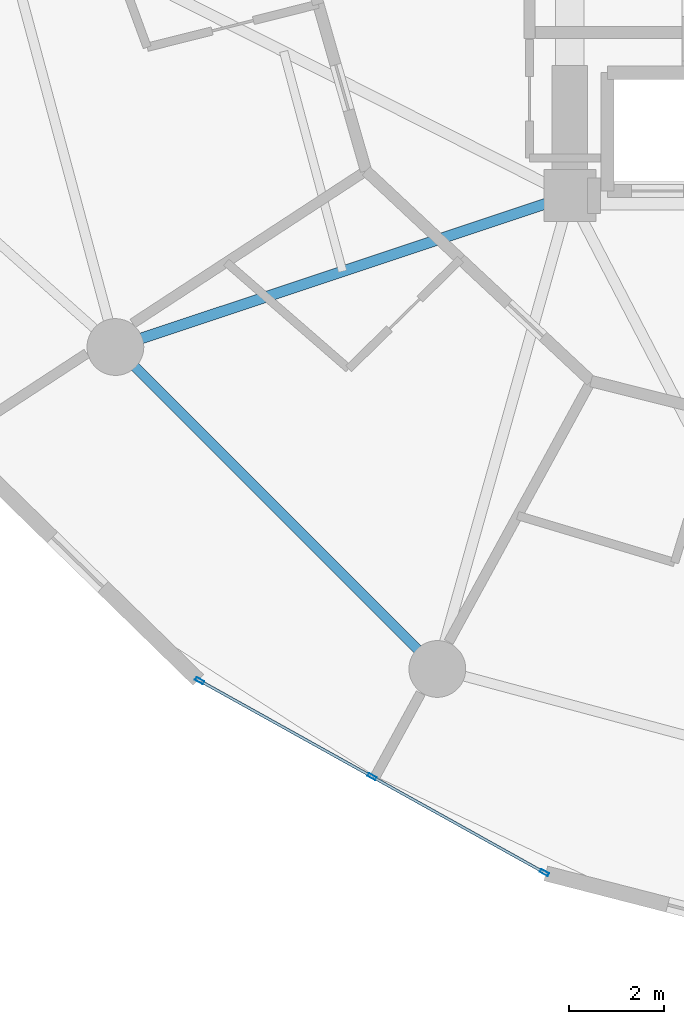
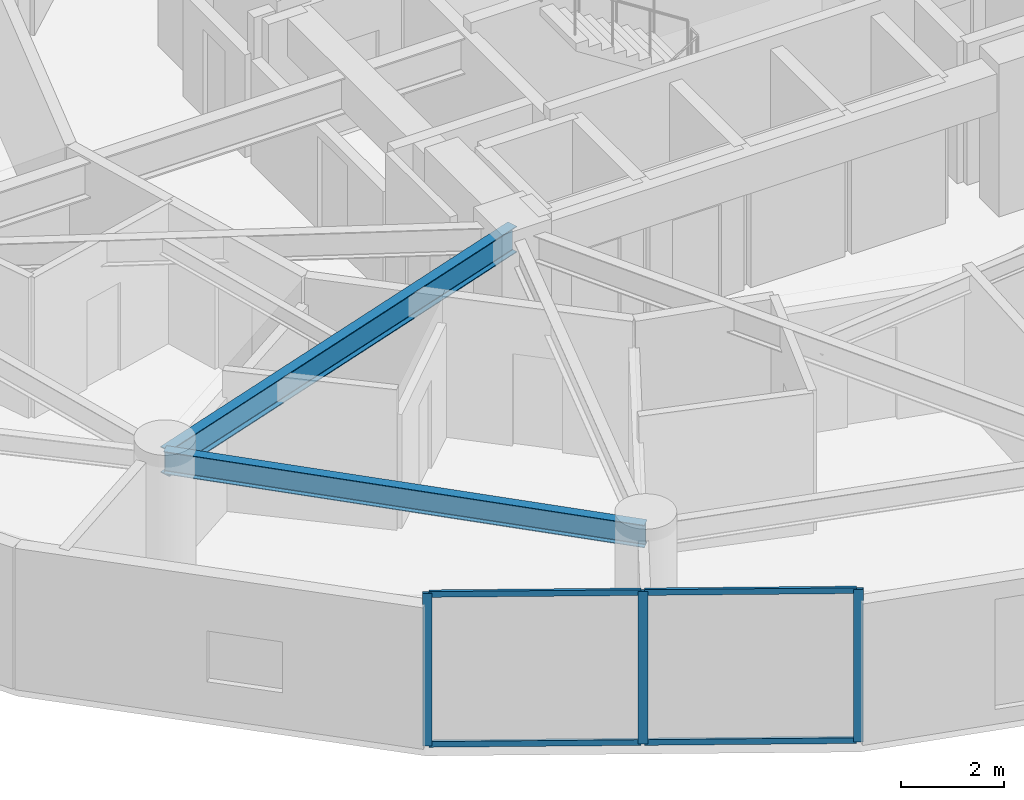
# One storey, part 2 of 22: 7 members, 2 beams, 1 element without a shape of its own.
"""IFC4 building model written with IfcOpenShell, lengths in metres."""

from ifc_helpers import new_model, si_unit, direction, frame, origin, origin_2d, place, context, subcontext, project, spatial, hollow_rectangle, i_section, extrude, source, transform, mapped, material, layer, layer_set, material_profile, profile_set, type_object, element, aggregate, save


model = new_model("IFC4")

# Units and contexts
model_context = context("Model", 3, precision=1e-05, world=origin(), true_north=direction((0.0, 1.0)))
body_context = subcontext(model_context, "Body", "Model", "MODEL_VIEW")
ifc_project = project(units=[si_unit("LENGTHUNIT", "METRE"), si_unit("AREAUNIT", "SQUARE_METRE"), si_unit("VOLUMEUNIT", "CUBIC_METRE"), si_unit("PLANEANGLEUNIT", "RADIAN"), si_unit("MASSUNIT", "GRAM", prefix="KILO")], contexts=[model_context])

# Site, building, storey
site_placement = place(None, origin())
site = spatial("IfcSite", under=ifc_project, at=site_placement, CompositionType="ELEMENT")
building_placement = place(site_placement, origin())
building = spatial("IfcBuilding", under=site, at=building_placement, Name="Solvirekh Grand Hotel", CompositionType="ELEMENT")
storey_placement = place(building_placement, frame((0.0, 0.0, 78.800048828125)))
storey = spatial("IfcBuildingStorey", under=building, at=storey_placement, Name="L19", CompositionType="ELEMENT", Elevation=78.800048828125)

# Beams
ifc_material_1 = material(Name="Steel S355", Category="steel")
ifc_material_profile_1 = material_profile(ifc_material_1, i_section(OverallWidth=0.22802734375, OverallDepth=0.616943359375, WebThickness=0.012939453125, FlangeThickness=0.02001953125, FilletRadius=0.014892578125, at=origin_2d()), Name="W610X140")
ifc_profile_set_1 = profile_set([ifc_material_profile_1], Name="Steel S355")
beam_type_1 = type_object("IfcBeamType", Name="Beam_Radial_W610", PredefinedType="BEAM", material=ifc_profile_set_1)
beam_1_placement = place(storey_placement, frame((-6.5, -6.10009765625, 3.031982421875), z_axis=(-0.948762825819, -0.315989082635, 0.0), x_axis=(0.315989082635, -0.948762825819, 0.0)))
element("IfcBeam", 1, at=beam_1_placement, inside=storey, type_object=beam_type_1, Name="L19 radial floor beam R08", PredefinedType="BEAM", context=body_context, shape_type="SweptSolid", body=[
    extrude(i_section(OverallWidth=0.22802734375, OverallDepth=0.616943359375, WebThickness=0.012939453125, FlangeThickness=0.02001953125, FilletRadius=0.014892578125, at=origin_2d()), origin(), (0.0, 0.0, 1.0), 10.126708984375),
])
ifc_material_profile_2 = material_profile(ifc_material_1, i_section(OverallWidth=0.208984375, OverallDepth=0.532958984375, WebThickness=0.010009765625, FlangeThickness=0.014892578125, FilletRadius=0.013916015625, at=origin_2d()), Name="W530X92")
ifc_profile_set_2 = profile_set([ifc_material_profile_2], Name="Steel S355")
beam_type_2 = type_object("IfcBeamType", Name="Spandrel_Ring_W530", PredefinedType="SPANDREL", material=ifc_profile_set_2)
beam_2_placement = place(storey_placement, frame((-16.10791015625, -9.300048828125, 3.073974609375), z_axis=(0.707106781187, -0.707106781187, 0.0), x_axis=(0.707106781187, 0.707106781187, 0.0)))
element("IfcBeam", 2, at=beam_2_placement, inside=storey, type_object=beam_type_2, Name="L19 perimeter spandrel beam 8", PredefinedType="SPANDREL", context=body_context, shape_type="SweptSolid", body=[
    extrude(i_section(OverallWidth=0.208984375, OverallDepth=0.532958984375, WebThickness=0.010009765625, FlangeThickness=0.014892578125, FilletRadius=0.013916015625, at=origin_2d()), origin(), (0.0, 0.0, 1.0), 9.627685546875),
])

# Curtain wall, members
ifc_material_2 = material(Name="Anodized Bronze Aluminium 6063-T6", Category="aluminium")
ifc_layer = layer(ifc_material_2, 0.18994140625)
ifc_layer_set = layer_set([ifc_layer], Name="Anodized Bronze Aluminium 6063-T6")
curtain_wall_type = type_object("IfcCurtainWallType", Name="CW_Sys2_LowZoneFlushBronzeCW", PredefinedType="NOTDEFINED", material=ifc_layer_set)
curtain_wall_placement = place(storey_placement, origin())
curtain_wall = element("IfcCurtainWall", 3, at=curtain_wall_placement, inside=storey, type_object=curtain_wall_type, Name="L19 unitised bronze-glass curtain wall CW-L19-C15", PredefinedType="NOTDEFINED")
ifc_material_profile_3 = material_profile(ifc_material_2, hollow_rectangle(XDim=0.070068359375, YDim=0.18994140625, WallThickness=0.0048828125, at=origin_2d()), Name="ALU RHS 190X70X5")
ifc_profile_set_3 = profile_set([ifc_material_profile_3], Name="Anodized Bronze Aluminium 6063-T6")
member_type_1 = type_object("IfcMemberType", Name="CWMullion_Sys2", PredefinedType="MULLION", material=ifc_profile_set_3)
shared_shape_1 = source(origin(), body_context, "Body", "SweptSolid", [
    extrude(hollow_rectangle(XDim=0.070068359375, YDim=0.18994140625, WallThickness=0.0048828125, at=origin_2d()), origin(), (0.0, 0.0, 1.0), 3.599853515625),
])
member_1_placement = place(storey_placement, frame((-14.325439453125, -16.35595703125, 0.0), z_axis=(0.0, 0.0, 1.0), x_axis=(0.486520728626, 0.873669033798, 0.0)))
member_1 = element("IfcMember", 4, at=member_1_placement, type_object=member_type_1, Name="U02 mullion 1", PredefinedType="MULLION", context=body_context, shape_type="MappedRepresentation", body=[
    mapped(shared_shape_1, transform((0.0, 0.0, 0.0), x_axis=(1.0, 0.0, 0.0), y_axis=(0.0, 1.0, 0.0), z_axis=(0.0, 0.0, 1.0), scale=1.0)),
])
member_2_placement = place(storey_placement, frame((-10.680908203125, -18.385498046875, 0.0), z_axis=(0.0, 0.0, 1.0), x_axis=(0.486520728626, 0.873669033798, 0.0)))
member_2 = element("IfcMember", 5, at=member_2_placement, type_object=member_type_1, Name="U02 mullion 2", PredefinedType="MULLION", context=body_context, shape_type="MappedRepresentation", body=[
    mapped(shared_shape_1, transform((0.0, 0.0, 0.0), x_axis=(1.0, 0.0, 0.0), y_axis=(0.0, 1.0, 0.0), z_axis=(0.0, 0.0, 1.0), scale=1.0)),
])
member_3_placement = place(storey_placement, frame((-7.03662109375, -20.4150390625, 0.0), z_axis=(0.0, 0.0, 1.0), x_axis=(0.486520728626, 0.873669033798, 0.0)))
member_3 = element("IfcMember", 6, at=member_3_placement, type_object=member_type_1, Name="U02 mullion 3", PredefinedType="MULLION", context=body_context, shape_type="MappedRepresentation", body=[
    mapped(shared_shape_1, transform((0.0, 0.0, 0.0), x_axis=(1.0, 0.0, 0.0), y_axis=(0.0, 1.0, 0.0), z_axis=(0.0, 0.0, 1.0), scale=1.0)),
])
ifc_material_profile_4 = material_profile(ifc_material_2, hollow_rectangle(XDim=0.06005859375, YDim=0.135009765625, WallThickness=0.00390625, at=origin_2d()), Name="ALU RHS 135X60X4")
ifc_profile_set_4 = profile_set([ifc_material_profile_4], Name="Anodized Bronze Aluminium 6063-T6")
member_type_2 = type_object("IfcMemberType", Name="CWTransom_Sys2", PredefinedType="USERDEFINED", material=ifc_profile_set_4)
shared_shape_2 = source(origin(), body_context, "Body", "SweptSolid", [
    extrude(hollow_rectangle(XDim=0.06005859375, YDim=0.135009765625, WallThickness=0.00390625, at=origin_2d()), origin(), (0.0, 0.0, 1.0), 4.101318359375),
])
member_4_placement = place(storey_placement, frame((-14.294921875, -16.373046875, 0.030029296875), z_axis=(0.873673891115, -0.486512006002, 0.0), x_axis=(0.486512006002, 0.873673891115, 0.0)))
member_4 = element("IfcMember", 7, at=member_4_placement, type_object=member_type_2, Name="U02 transom 1.1", ObjectType="TRANSOM", PredefinedType="USERDEFINED", context=body_context, shape_type="MappedRepresentation", body=[
    mapped(shared_shape_2, transform((0.0, 0.0, 0.0), x_axis=(1.0, 0.0, 0.0), y_axis=(0.0, 1.0, 0.0), z_axis=(0.0, 0.0, 1.0), scale=1.0)),
])
member_5_placement = place(storey_placement, frame((-14.294921875, -16.373046875, 3.570068359375), z_axis=(0.873673891115, -0.486512006002, 0.0), x_axis=(0.486512006002, 0.873673891115, 0.0)))
member_5 = element("IfcMember", 8, at=member_5_placement, type_object=member_type_2, Name="U02 transom 1.2", ObjectType="TRANSOM", PredefinedType="USERDEFINED", context=body_context, shape_type="MappedRepresentation", body=[
    mapped(shared_shape_2, transform((0.0, 0.0, 0.0), x_axis=(1.0, 0.0, 0.0), y_axis=(0.0, 1.0, 0.0), z_axis=(0.0, 0.0, 1.0), scale=1.0)),
])
member_6_placement = place(storey_placement, frame((-10.650390625, -18.402587890625, 0.030029296875), z_axis=(0.873673891115, -0.486512006002, 0.0), x_axis=(0.486512006002, 0.873673891115, 0.0)))
member_6 = element("IfcMember", 9, at=member_6_placement, type_object=member_type_2, Name="U02 transom 2.1", ObjectType="TRANSOM", PredefinedType="USERDEFINED", context=body_context, shape_type="MappedRepresentation", body=[
    mapped(shared_shape_2, transform((0.0, 0.0, 0.0), x_axis=(1.0, 0.0, 0.0), y_axis=(0.0, 1.0, 0.0), z_axis=(0.0, 0.0, 1.0), scale=1.0)),
])
member_7_placement = place(storey_placement, frame((-10.650390625, -18.402587890625, 3.570068359375), z_axis=(0.873673891115, -0.486512006002, 0.0), x_axis=(0.486512006002, 0.873673891115, 0.0)))
member_7 = element("IfcMember", 10, at=member_7_placement, type_object=member_type_2, Name="U02 transom 2.2", ObjectType="TRANSOM", PredefinedType="USERDEFINED", context=body_context, shape_type="MappedRepresentation", body=[
    mapped(shared_shape_2, transform((0.0, 0.0, 0.0), x_axis=(1.0, 0.0, 0.0), y_axis=(0.0, 1.0, 0.0), z_axis=(0.0, 0.0, 1.0), scale=1.0)),
])
aggregate(curtain_wall, [member_1, member_2, member_3, member_4, member_5, member_6, member_7])

save(model, "model.ifc")
